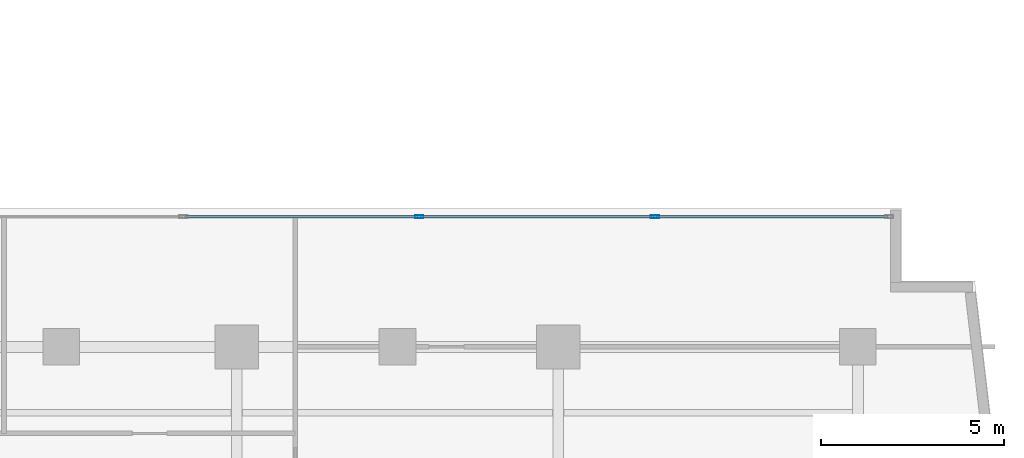
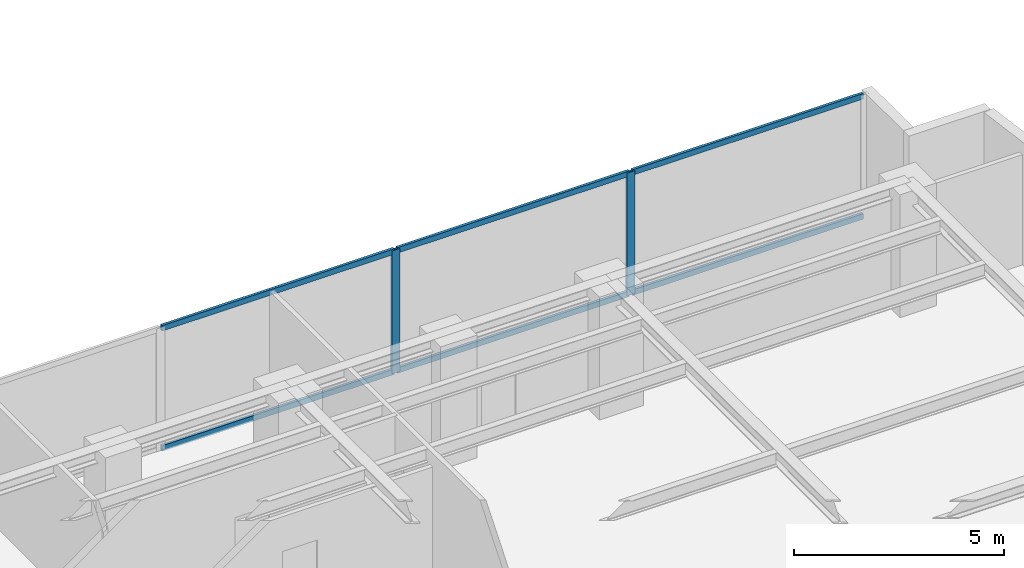
# One storey, part 14 of 27: 8 members, 1 element without a shape of its own.
"""IFC4 building model written with IfcOpenShell, lengths in metres."""

from ifc_helpers import new_model, si_unit, direction, frame, origin, origin_with_axes, origin_2d, place, context, subcontext, project, spatial, hollow_rectangle, extrude, source, transform, mapped, material, layer, layer_set, material_profile, profile_set, type_object, element, aggregate, save


model = new_model("IFC4")

# Units and contexts
model_context = context("Model", 3, precision=1e-05, world=origin(), true_north=direction((0.0, 1.0)))
body_context = subcontext(model_context, "Body", "Model", "MODEL_VIEW")
ifc_project = project(units=[si_unit("LENGTHUNIT", "METRE"), si_unit("AREAUNIT", "SQUARE_METRE"), si_unit("VOLUMEUNIT", "CUBIC_METRE"), si_unit("PLANEANGLEUNIT", "RADIAN"), si_unit("MASSUNIT", "GRAM", prefix="KILO")], contexts=[model_context])

# Site, building, storey
site_placement = place(None, origin())
site = spatial("IfcSite", under=ifc_project, at=site_placement, CompositionType="ELEMENT")
building_placement = place(site_placement, origin())
building = spatial("IfcBuilding", under=site, at=building_placement, Name="Kolvaren Waterfront Exchange", CompositionType="ELEMENT")
storey_placement = place(building_placement, frame((0.0, 0.0, 176.60009765625)))
storey = spatial("IfcBuildingStorey", under=building, at=storey_placement, Name="L45", CompositionType="ELEMENT", Elevation=176.60009765625)

# Curtain wall, members
ifc_material_1 = material(Name="Anodised bronze aluminium 6063-T6", Category="aluminium")
ifc_layer = layer(ifc_material_1, 0.219970703125, Name="Anodised bronze aluminium 6063-T6")
ifc_layer_set = layer_set([ifc_layer], Name="Anodised bronze aluminium 6063-T6")
curtain_wall_type = type_object("IfcCurtainWallType", Name="ARC-CW-SYS1", PredefinedType="USERDEFINED", material=ifc_layer_set)
curtain_wall_placement = place(storey_placement, origin())
curtain_wall = element("IfcCurtainWall", 1, at=curtain_wall_placement, inside=storey, type_object=curtain_wall_type, Name="L45 stick curtain wall CW1 (CW-L45-EN)", ObjectType="STICK CURTAIN WALL", PredefinedType="USERDEFINED")
ifc_material_2 = material(Name="Anodised aluminium 6063-T6", Category="aluminium")
ifc_material_profile_1 = material_profile(ifc_material_2, hollow_rectangle(XDim=0.074951171875, YDim=0.159912109375, WallThickness=0.00439453125, at=origin_2d()), Name="ALU-TRN-160x75x4.5")
ifc_profile_set_1 = profile_set([ifc_material_profile_1], Name="Anodised aluminium 6063-T6")
member_type_1 = type_object("IfcMemberType", Name="ARC-CWT-160", PredefinedType="USERDEFINED", material=ifc_profile_set_1)
shared_shape_1 = source(origin_with_axes(), body_context, "Body", "SweptSolid", [
    extrude(hollow_rectangle(XDim=0.074951171875, YDim=0.159912109375, WallThickness=0.00439453125, at=origin_2d()), origin(), (0.0, 0.0, 1.0), 6.33251953125),
])
member_1_placement = place(storey_placement, frame((48.28759765625, 20.9599609375, 0.037353515625), z_axis=(1.0, 0.0, 0.0), x_axis=(0.0, 1.0, 0.0)))
member_1 = element("IfcMember", 2, at=member_1_placement, type_object=member_type_1, Name="CW1 transom 4.1", ObjectType="TRANSOM", PredefinedType="USERDEFINED", context=body_context, shape_type="MappedRepresentation", body=[
    mapped(shared_shape_1, transform((0.0, 0.0, 0.0), x_axis=(1.0, 0.0, 0.0), y_axis=(0.0, 1.0, 0.0), z_axis=(0.0, 0.0, 1.0), scale=1.0)),
])
member_2_placement = place(storey_placement, frame((48.28759765625, 20.9599609375, 3.5224609375), z_axis=(1.0, 0.0, 0.0), x_axis=(0.0, 1.0, 0.0)))
member_2 = element("IfcMember", 3, at=member_2_placement, type_object=member_type_1, Name="CW1 transom 4.2", ObjectType="TRANSOM", PredefinedType="USERDEFINED", context=body_context, shape_type="MappedRepresentation", body=[
    mapped(shared_shape_1, transform((0.0, 0.0, 0.0), x_axis=(1.0, 0.0, 0.0), y_axis=(0.0, 1.0, 0.0), z_axis=(0.0, 0.0, 1.0), scale=1.0)),
])
shared_shape_2 = source(origin_with_axes(), body_context, "Body", "SweptSolid", [
    extrude(hollow_rectangle(XDim=0.074951171875, YDim=0.159912109375, WallThickness=0.00439453125, at=origin_2d()), origin(), (0.0, 0.0, 1.0), 6.372314453125),
])
member_3_placement = place(storey_placement, frame((35.382568359375, 20.9599609375, 0.037353515625), z_axis=(1.0, 0.0, 0.0), x_axis=(0.0, 1.0, 0.0)))
member_3 = element("IfcMember", 4, at=member_3_placement, type_object=member_type_1, Name="CW1 transom 2.1", ObjectType="TRANSOM", PredefinedType="USERDEFINED", context=body_context, shape_type="MappedRepresentation", body=[
    mapped(shared_shape_2, transform((0.0, 0.0, 0.0), x_axis=(1.0, 0.0, 0.0), y_axis=(0.0, 1.0, 0.0), z_axis=(0.0, 0.0, 1.0), scale=1.0)),
])
member_4_placement = place(storey_placement, frame((35.382568359375, 20.9599609375, 3.5224609375), z_axis=(1.0, 0.0, 0.0), x_axis=(0.0, 1.0, 0.0)))
member_4 = element("IfcMember", 5, at=member_4_placement, type_object=member_type_1, Name="CW1 transom 2.2", ObjectType="TRANSOM", PredefinedType="USERDEFINED", context=body_context, shape_type="MappedRepresentation", body=[
    mapped(shared_shape_2, transform((0.0, 0.0, 0.0), x_axis=(1.0, 0.0, 0.0), y_axis=(0.0, 1.0, 0.0), z_axis=(0.0, 0.0, 1.0), scale=1.0)),
])
shared_shape_3 = source(origin_with_axes(), body_context, "Body", "SweptSolid", [
    extrude(hollow_rectangle(XDim=0.074951171875, YDim=0.159912109375, WallThickness=0.00439453125, at=origin_2d()), origin(), (0.0, 0.0, 1.0), 6.37255859375),
])
member_5_placement = place(storey_placement, frame((41.8349609375, 20.9599609375, 0.037353515625), z_axis=(1.0, 0.0, 0.0), x_axis=(0.0, 1.0, 0.0)))
member_5 = element("IfcMember", 6, at=member_5_placement, type_object=member_type_1, Name="CW1 transom 3.1", ObjectType="TRANSOM", PredefinedType="USERDEFINED", context=body_context, shape_type="MappedRepresentation", body=[
    mapped(shared_shape_3, transform((0.0, 0.0, 0.0), x_axis=(1.0, 0.0, 0.0), y_axis=(0.0, 1.0, 0.0), z_axis=(0.0, 0.0, 1.0), scale=1.0)),
])
member_6_placement = place(storey_placement, frame((41.8349609375, 20.9599609375, 3.5224609375), z_axis=(1.0, 0.0, 0.0), x_axis=(0.0, 1.0, 0.0)))
member_6 = element("IfcMember", 7, at=member_6_placement, type_object=member_type_1, Name="CW1 transom 3.2", ObjectType="TRANSOM", PredefinedType="USERDEFINED", context=body_context, shape_type="MappedRepresentation", body=[
    mapped(shared_shape_3, transform((0.0, 0.0, 0.0), x_axis=(1.0, 0.0, 0.0), y_axis=(0.0, 1.0, 0.0), z_axis=(0.0, 0.0, 1.0), scale=1.0)),
])
ifc_material_profile_2 = material_profile(ifc_material_2, hollow_rectangle(XDim=0.080078125, YDim=0.219970703125, WallThickness=0.0048828125, at=origin_2d()), Name="ALU-MUL-220x80x5")
ifc_profile_set_2 = profile_set([ifc_material_profile_2], Name="Anodised aluminium 6063-T6")
member_type_2 = type_object("IfcMemberType", Name="ARC-CWM-220", PredefinedType="MULLION", material=ifc_profile_set_2)
shared_shape_4 = source(origin_with_axes(), body_context, "Body", "SweptSolid", [
    extrude(hollow_rectangle(XDim=0.080078125, YDim=0.219970703125, WallThickness=0.0048828125, at=origin_2d()), origin(), (0.0, 0.0, 1.0), 3.559814453125),
])
member_7_placement = place(storey_placement, frame((41.794921875, 20.9599609375, 0.0), z_axis=(0.0, 0.0, 1.0), x_axis=(0.0, 1.0, 0.0)))
member_7 = element("IfcMember", 8, at=member_7_placement, type_object=member_type_2, Name="CW1 mullion 3", PredefinedType="MULLION", context=body_context, shape_type="MappedRepresentation", body=[
    mapped(shared_shape_4, transform((0.0, 0.0, 0.0), x_axis=(1.0, 0.0, 0.0), y_axis=(0.0, 1.0, 0.0), z_axis=(0.0, 0.0, 1.0), scale=1.0)),
])
member_8_placement = place(storey_placement, frame((48.24755859375, 20.9599609375, 0.0), z_axis=(0.0, 0.0, 1.0), x_axis=(0.0, 1.0, 0.0)))
member_8 = element("IfcMember", 9, at=member_8_placement, type_object=member_type_2, Name="CW1 mullion 4", PredefinedType="MULLION", context=body_context, shape_type="MappedRepresentation", body=[
    mapped(shared_shape_4, transform((0.0, 0.0, 0.0), x_axis=(1.0, 0.0, 0.0), y_axis=(0.0, 1.0, 0.0), z_axis=(0.0, 0.0, 1.0), scale=1.0)),
])
aggregate(curtain_wall, [member_7, member_8, member_3, member_4, member_5, member_6, member_1, member_2])

save(model, "model.ifc")
